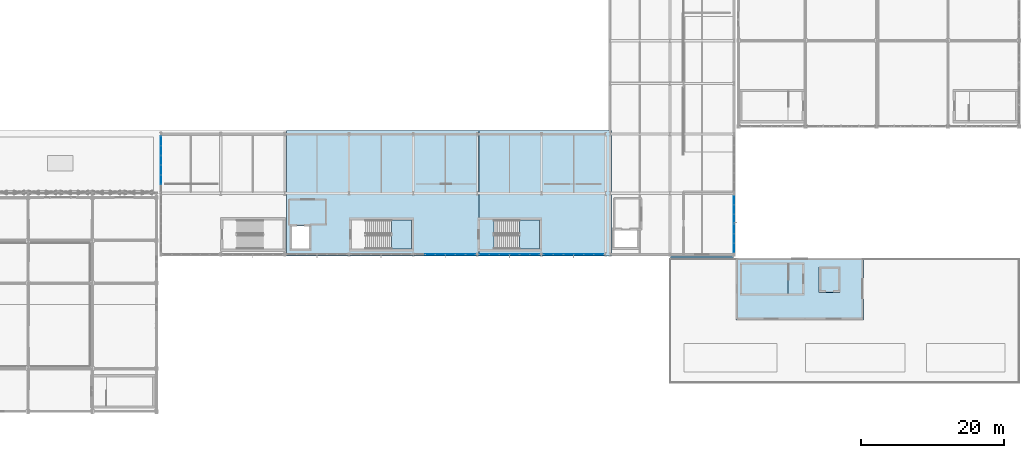
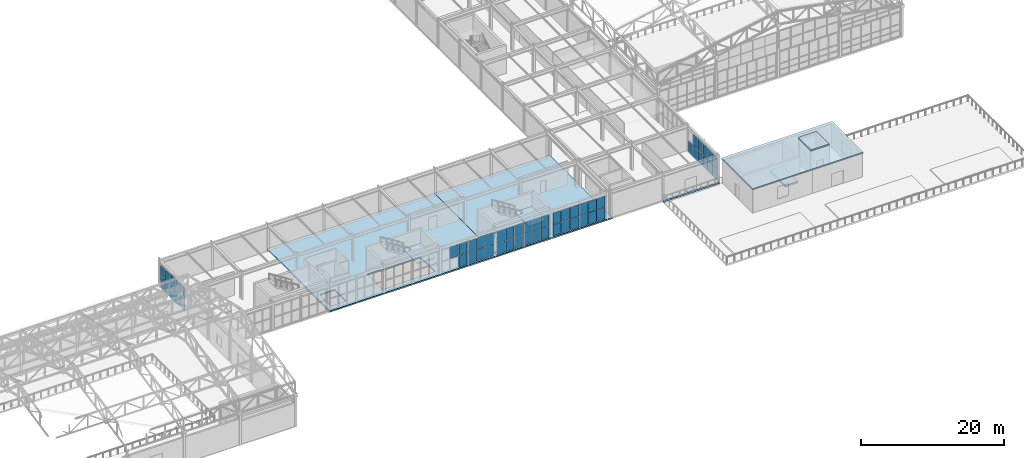
# One storey, part 89 of 112: 54 plates, 9 slabs, 8 elements without a shape of their own.
"""IFC4 building model written with IfcOpenShell, lengths in metres."""

from ifc_helpers import new_model, si_unit, direction, frame, origin, origin_2d, place, context, subcontext, project, spatial, polyline, rectangle, outline, extrude, material, layer, layer_set, type_object, element, aggregate, save


model = new_model("IFC4")

# Units and contexts
model_context = context("Model", 3, precision=1e-05, world=origin(), true_north=direction((0.0, 1.0)))
body_context = subcontext(model_context, "Body", "Model", "MODEL_VIEW")
ifc_project = project(units=[si_unit("LENGTHUNIT", "METRE"), si_unit("AREAUNIT", "SQUARE_METRE"), si_unit("VOLUMEUNIT", "CUBIC_METRE"), si_unit("PLANEANGLEUNIT", "RADIAN"), si_unit("MASSUNIT", "GRAM", prefix="KILO")], contexts=[model_context])

# Site, building, storey
site_placement = place(None, origin())
site = spatial("IfcSite", under=ifc_project, at=site_placement, CompositionType="ELEMENT")
building_placement = place(site_placement, origin())
building = spatial("IfcBuilding", under=site, at=building_placement, Name="Kaldris Quays Convention Centre", CompositionType="ELEMENT")
storey_placement = place(building_placement, frame((0.0, 0.0, 16.800048828125)))
storey = spatial("IfcBuildingStorey", under=building, at=storey_placement, Name="L03", CompositionType="ELEMENT", Elevation=16.800048828125)

# Curtain wall, plates
ifc_material_1 = material(Name="Anodized aluminium AW-6060 and triple glazing", Category="aluminium")
curtain_wall_type = type_object("IfcCurtainWallType", Name="UNITISED CURTAIN WALL CW04", PredefinedType="NOTDEFINED", material=ifc_material_1)
curtain_wall_1_placement = place(storey_placement, origin())
curtain_wall_1 = element("IfcCurtainWall", 1, at=curtain_wall_1_placement, inside=storey, type_object=curtain_wall_type, Name="L03 Unitised Curtain Wall CW04 146", PredefinedType="NOTDEFINED")
ifc_material_2 = material(Name="Triple low-E insulated glazing", Category="glass")
plate_type_1 = type_object("IfcPlateType", Name="CURTAIN GLAZING PANEL CWP2", PredefinedType="CURTAIN_PANEL", material=ifc_material_2)
plate_1_placement = place(storey_placement, frame((164.0, 38.93994140625, 0.059814453125), z_axis=(0.0, 0.0, 1.0), x_axis=(0.0, 1.0, 0.0)))
plate_1 = element("IfcPlate", 2, at=plate_1_placement, type_object=plate_type_1, Name="CW04 panel 1.1", PredefinedType="CURTAIN_PANEL", context=body_context, shape_type="SweptSolid", body=[
    extrude(rectangle(XDim=1.260009765625, YDim=0.033935546875, at=origin_2d()), origin(), (0.0, 0.0, 1.0), 1.89208984375),
])
plate_2_placement = place(storey_placement, frame((164.0, 38.93994140625, 2.011962890625), z_axis=(0.0, 0.0, 1.0), x_axis=(0.0, 1.0, 0.0)))
plate_2 = element("IfcPlate", 3, at=plate_2_placement, type_object=plate_type_1, Name="CW04 panel 1.2", PredefinedType="CURTAIN_PANEL", context=body_context, shape_type="SweptSolid", body=[
    extrude(rectangle(XDim=1.260009765625, YDim=0.033935546875, at=origin_2d()), origin(), (0.0, 0.0, 1.0), 1.89306640625),
])
plate_3_placement = place(storey_placement, frame((164.0, 40.27490234375, 0.059814453125), z_axis=(0.0, 0.0, 1.0), x_axis=(0.0, 1.0, 0.0)))
plate_3 = element("IfcPlate", 4, at=plate_3_placement, type_object=plate_type_1, Name="CW04 panel 2.1", PredefinedType="CURTAIN_PANEL", context=body_context, shape_type="SweptSolid", body=[
    extrude(rectangle(XDim=1.2900390625, YDim=0.033935546875, at=origin_2d()), origin(), (0.0, 0.0, 1.0), 1.89208984375),
])
plate_4_placement = place(storey_placement, frame((164.0, 40.27490234375, 2.011962890625), z_axis=(0.0, 0.0, 1.0), x_axis=(0.0, 1.0, 0.0)))
plate_4 = element("IfcPlate", 5, at=plate_4_placement, type_object=plate_type_1, Name="CW04 panel 2.2", PredefinedType="CURTAIN_PANEL", context=body_context, shape_type="SweptSolid", body=[
    extrude(rectangle(XDim=1.2900390625, YDim=0.033935546875, at=origin_2d()), origin(), (0.0, 0.0, 1.0), 1.89306640625),
])
plate_5_placement = place(storey_placement, frame((164.0, 41.625, 0.059814453125), z_axis=(0.0, 0.0, 1.0), x_axis=(0.0, 1.0, 0.0)))
plate_5 = element("IfcPlate", 6, at=plate_5_placement, type_object=plate_type_1, Name="CW04 panel 3.1", PredefinedType="CURTAIN_PANEL", context=body_context, shape_type="SweptSolid", body=[
    extrude(rectangle(XDim=1.2900390625, YDim=0.033935546875, at=origin_2d()), origin(), (0.0, 0.0, 1.0), 1.89208984375),
])
plate_6_placement = place(storey_placement, frame((164.0, 41.625, 2.011962890625), z_axis=(0.0, 0.0, 1.0), x_axis=(0.0, 1.0, 0.0)))
plate_6 = element("IfcPlate", 7, at=plate_6_placement, type_object=plate_type_1, Name="CW04 panel 3.2", PredefinedType="CURTAIN_PANEL", context=body_context, shape_type="SweptSolid", body=[
    extrude(rectangle(XDim=1.2900390625, YDim=0.033935546875, at=origin_2d()), origin(), (0.0, 0.0, 1.0), 1.89306640625),
])
plate_7_placement = place(storey_placement, frame((164.0, 42.97509765625, 0.059814453125), z_axis=(0.0, 0.0, 1.0), x_axis=(0.0, 1.0, 0.0)))
plate_7 = element("IfcPlate", 8, at=plate_7_placement, type_object=plate_type_1, Name="CW04 panel 4.1", PredefinedType="CURTAIN_PANEL", context=body_context, shape_type="SweptSolid", body=[
    extrude(rectangle(XDim=1.2900390625, YDim=0.033935546875, at=origin_2d()), origin(), (0.0, 0.0, 1.0), 1.89208984375),
])
plate_8_placement = place(storey_placement, frame((164.0, 42.97509765625, 2.011962890625), z_axis=(0.0, 0.0, 1.0), x_axis=(0.0, 1.0, 0.0)))
plate_8 = element("IfcPlate", 9, at=plate_8_placement, type_object=plate_type_1, Name="CW04 panel 4.2", PredefinedType="CURTAIN_PANEL", context=body_context, shape_type="SweptSolid", body=[
    extrude(rectangle(XDim=1.2900390625, YDim=0.033935546875, at=origin_2d()), origin(), (0.0, 0.0, 1.0), 1.89306640625),
])
plate_9_placement = place(storey_placement, frame((164.0, 44.324951171875, 0.059814453125), z_axis=(0.0, 0.0, 1.0), x_axis=(0.0, 1.0, 0.0)))
plate_9 = element("IfcPlate", 10, at=plate_9_placement, type_object=plate_type_1, Name="CW04 panel 5.1", PredefinedType="CURTAIN_PANEL", context=body_context, shape_type="SweptSolid", body=[
    extrude(rectangle(XDim=1.2900390625, YDim=0.033935546875, at=origin_2d()), origin(), (0.0, 0.0, 1.0), 1.89208984375),
])
plate_10_placement = place(storey_placement, frame((164.0, 44.324951171875, 2.011962890625), z_axis=(0.0, 0.0, 1.0), x_axis=(0.0, 1.0, 0.0)))
plate_10 = element("IfcPlate", 11, at=plate_10_placement, type_object=plate_type_1, Name="CW04 panel 5.2", PredefinedType="CURTAIN_PANEL", context=body_context, shape_type="SweptSolid", body=[
    extrude(rectangle(XDim=1.2900390625, YDim=0.033935546875, at=origin_2d()), origin(), (0.0, 0.0, 1.0), 1.89306640625),
])
plate_11_placement = place(storey_placement, frame((164.0, 45.659912109375, 0.059814453125), z_axis=(0.0, 0.0, 1.0), x_axis=(0.0, 1.0, 0.0)))
plate_11 = element("IfcPlate", 12, at=plate_11_placement, type_object=plate_type_1, Name="CW04 panel 6.1", PredefinedType="CURTAIN_PANEL", context=body_context, shape_type="SweptSolid", body=[
    extrude(rectangle(XDim=1.260009765625, YDim=0.033935546875, at=origin_2d()), origin(), (0.0, 0.0, 1.0), 1.89208984375),
])
aggregate(curtain_wall_1, [plate_1, plate_2, plate_3, plate_4, plate_5, plate_6, plate_7, plate_8, plate_9, plate_10, plate_11])

curtain_wall_2_placement = place(storey_placement, origin())
curtain_wall_2 = element("IfcCurtainWall", 13, at=curtain_wall_2_placement, inside=storey, type_object=curtain_wall_type, Name="L03 Unitised Curtain Wall CW04 125", PredefinedType="NOTDEFINED")
plate_type_2 = type_object("IfcPlateType", Name="CURTAIN GLAZING PANEL CWP5", PredefinedType="CURTAIN_PANEL", material=ifc_material_2)
plate_12_placement = place(storey_placement, frame((121.375, 38.0, 2.011962890625), z_axis=(0.0, 0.0, 1.0), x_axis=(1.0, 0.0, 0.0)))
plate_12 = element("IfcPlate", 14, at=plate_12_placement, type_object=plate_type_2, Name="CW04 panel 2.2", PredefinedType="CURTAIN_PANEL", context=body_context, shape_type="SweptSolid", body=[
    extrude(rectangle(XDim=1.356689453125, YDim=0.049072265625, at=origin_2d()), origin(), (0.0, 0.0, 1.0), 1.89306640625),
])
plate_13_placement = place(storey_placement, frame((122.791748046875, 38.0, 0.059814453125), z_axis=(0.0, 0.0, 1.0), x_axis=(1.0, 0.0, 0.0)))
plate_13 = element("IfcPlate", 15, at=plate_13_placement, type_object=plate_type_2, Name="CW04 panel 3.1", PredefinedType="CURTAIN_PANEL", context=body_context, shape_type="SweptSolid", body=[
    extrude(rectangle(XDim=1.356689453125, YDim=0.049072265625, at=origin_2d()), origin(), (0.0, 0.0, 1.0), 1.89208984375),
])
plate_14_placement = place(storey_placement, frame((122.791748046875, 38.0, 2.011962890625), z_axis=(0.0, 0.0, 1.0), x_axis=(1.0, 0.0, 0.0)))
plate_14 = element("IfcPlate", 16, at=plate_14_placement, type_object=plate_type_2, Name="CW04 panel 3.2", PredefinedType="CURTAIN_PANEL", context=body_context, shape_type="SweptSolid", body=[
    extrude(rectangle(XDim=1.356689453125, YDim=0.049072265625, at=origin_2d()), origin(), (0.0, 0.0, 1.0), 1.89306640625),
])
plate_15_placement = place(storey_placement, frame((124.208251953125, 38.0, 0.059814453125), z_axis=(0.0, 0.0, 1.0), x_axis=(1.0, 0.0, 0.0)))
plate_15 = element("IfcPlate", 17, at=plate_15_placement, type_object=plate_type_2, Name="CW04 panel 4.1", PredefinedType="CURTAIN_PANEL", context=body_context, shape_type="SweptSolid", body=[
    extrude(rectangle(XDim=1.356689453125, YDim=0.049072265625, at=origin_2d()), origin(), (0.0, 0.0, 1.0), 1.89208984375),
])
plate_16_placement = place(storey_placement, frame((124.208251953125, 38.0, 2.011962890625), z_axis=(0.0, 0.0, 1.0), x_axis=(1.0, 0.0, 0.0)))
plate_16 = element("IfcPlate", 18, at=plate_16_placement, type_object=plate_type_2, Name="CW04 panel 4.2", PredefinedType="CURTAIN_PANEL", context=body_context, shape_type="SweptSolid", body=[
    extrude(rectangle(XDim=1.356689453125, YDim=0.049072265625, at=origin_2d()), origin(), (0.0, 0.0, 1.0), 1.89306640625),
])
plate_17_placement = place(storey_placement, frame((125.625, 38.0, 0.059814453125), z_axis=(0.0, 0.0, 1.0), x_axis=(1.0, 0.0, 0.0)))
plate_17 = element("IfcPlate", 19, at=plate_17_placement, type_object=plate_type_2, Name="CW04 panel 5.1", PredefinedType="CURTAIN_PANEL", context=body_context, shape_type="SweptSolid", body=[
    extrude(rectangle(XDim=1.356689453125, YDim=0.049072265625, at=origin_2d()), origin(), (0.0, 0.0, 1.0), 1.89208984375),
])
plate_18_placement = place(storey_placement, frame((125.625, 38.0, 2.011962890625), z_axis=(0.0, 0.0, 1.0), x_axis=(1.0, 0.0, 0.0)))
plate_18 = element("IfcPlate", 20, at=plate_18_placement, type_object=plate_type_2, Name="CW04 panel 5.2", PredefinedType="CURTAIN_PANEL", context=body_context, shape_type="SweptSolid", body=[
    extrude(rectangle(XDim=1.356689453125, YDim=0.049072265625, at=origin_2d()), origin(), (0.0, 0.0, 1.0), 1.89306640625),
])
plate_19_placement = place(storey_placement, frame((127.026611328125, 38.0, 0.059814453125), z_axis=(0.0, 0.0, 1.0), x_axis=(1.0, 0.0, 0.0)))
plate_19 = element("IfcPlate", 21, at=plate_19_placement, type_object=plate_type_2, Name="CW04 panel 6.1", PredefinedType="CURTAIN_PANEL", context=body_context, shape_type="SweptSolid", body=[
    extrude(rectangle(XDim=1.32666015625, YDim=0.049072265625, at=origin_2d()), origin(), (0.0, 0.0, 1.0), 1.89208984375),
])
plate_20_placement = place(storey_placement, frame((127.026611328125, 38.0, 2.011962890625), z_axis=(0.0, 0.0, 1.0), x_axis=(1.0, 0.0, 0.0)))
plate_20 = element("IfcPlate", 22, at=plate_20_placement, type_object=plate_type_2, Name="CW04 panel 6.2", PredefinedType="CURTAIN_PANEL", context=body_context, shape_type="SweptSolid", body=[
    extrude(rectangle(XDim=1.32666015625, YDim=0.049072265625, at=origin_2d()), origin(), (0.0, 0.0, 1.0), 1.89306640625),
])
aggregate(curtain_wall_2, [plate_12, plate_13, plate_14, plate_15, plate_16, plate_17, plate_18, plate_19, plate_20])

curtain_wall_3_placement = place(storey_placement, origin())
curtain_wall_3 = element("IfcCurtainWall", 23, at=curtain_wall_3_placement, inside=storey, type_object=curtain_wall_type, Name="L03 Unitised Curtain Wall CW04 126", PredefinedType="NOTDEFINED")
plate_type_3 = type_object("IfcPlateType", Name="CURTAIN GLAZING PANEL CWP6", PredefinedType="CURTAIN_PANEL", material=ifc_material_2)
plate_21_placement = place(storey_placement, frame((128.973388671875, 38.0, 0.059814453125), z_axis=(0.0, 0.0, 1.0), x_axis=(1.0, 0.0, 0.0)))
plate_21 = element("IfcPlate", 24, at=plate_21_placement, type_object=plate_type_3, Name="CW04 panel 1.1", PredefinedType="CURTAIN_PANEL", context=body_context, shape_type="SweptSolid", body=[
    extrude(rectangle(XDim=1.32666015625, YDim=0.053955078125, at=origin_2d()), origin(), (0.0, 0.0, 1.0), 1.89208984375),
])
plate_22_placement = place(storey_placement, frame((128.973388671875, 38.0, 2.011962890625), z_axis=(0.0, 0.0, 1.0), x_axis=(1.0, 0.0, 0.0)))
plate_22 = element("IfcPlate", 25, at=plate_22_placement, type_object=plate_type_3, Name="CW04 panel 1.2", PredefinedType="CURTAIN_PANEL", context=body_context, shape_type="SweptSolid", body=[
    extrude(rectangle(XDim=1.32666015625, YDim=0.053955078125, at=origin_2d()), origin(), (0.0, 0.0, 1.0), 1.89306640625),
])
plate_23_placement = place(storey_placement, frame((130.375, 38.0, 0.059814453125), z_axis=(0.0, 0.0, 1.0), x_axis=(1.0, 0.0, 0.0)))
plate_23 = element("IfcPlate", 26, at=plate_23_placement, type_object=plate_type_3, Name="CW04 panel 2.1", PredefinedType="CURTAIN_PANEL", context=body_context, shape_type="SweptSolid", body=[
    extrude(rectangle(XDim=1.356689453125, YDim=0.053955078125, at=origin_2d()), origin(), (0.0, 0.0, 1.0), 1.89208984375),
])
plate_24_placement = place(storey_placement, frame((130.375, 38.0, 2.011962890625), z_axis=(0.0, 0.0, 1.0), x_axis=(1.0, 0.0, 0.0)))
plate_24 = element("IfcPlate", 27, at=plate_24_placement, type_object=plate_type_3, Name="CW04 panel 2.2", PredefinedType="CURTAIN_PANEL", context=body_context, shape_type="SweptSolid", body=[
    extrude(rectangle(XDim=1.356689453125, YDim=0.053955078125, at=origin_2d()), origin(), (0.0, 0.0, 1.0), 1.89306640625),
])
plate_25_placement = place(storey_placement, frame((131.791748046875, 38.0, 0.059814453125), z_axis=(0.0, 0.0, 1.0), x_axis=(1.0, 0.0, 0.0)))
plate_25 = element("IfcPlate", 28, at=plate_25_placement, type_object=plate_type_3, Name="CW04 panel 3.1", PredefinedType="CURTAIN_PANEL", context=body_context, shape_type="SweptSolid", body=[
    extrude(rectangle(XDim=1.356689453125, YDim=0.053955078125, at=origin_2d()), origin(), (0.0, 0.0, 1.0), 1.89208984375),
])
plate_26_placement = place(storey_placement, frame((131.791748046875, 38.0, 2.011962890625), z_axis=(0.0, 0.0, 1.0), x_axis=(1.0, 0.0, 0.0)))
plate_26 = element("IfcPlate", 29, at=plate_26_placement, type_object=plate_type_3, Name="CW04 panel 3.2", PredefinedType="CURTAIN_PANEL", context=body_context, shape_type="SweptSolid", body=[
    extrude(rectangle(XDim=1.356689453125, YDim=0.053955078125, at=origin_2d()), origin(), (0.0, 0.0, 1.0), 1.89306640625),
])
plate_27_placement = place(storey_placement, frame((133.208251953125, 38.0, 0.059814453125), z_axis=(0.0, 0.0, 1.0), x_axis=(1.0, 0.0, 0.0)))
plate_27 = element("IfcPlate", 30, at=plate_27_placement, type_object=plate_type_3, Name="CW04 panel 4.1", PredefinedType="CURTAIN_PANEL", context=body_context, shape_type="SweptSolid", body=[
    extrude(rectangle(XDim=1.356689453125, YDim=0.053955078125, at=origin_2d()), origin(), (0.0, 0.0, 1.0), 1.89208984375),
])
plate_28_placement = place(storey_placement, frame((133.208251953125, 38.0, 2.011962890625), z_axis=(0.0, 0.0, 1.0), x_axis=(1.0, 0.0, 0.0)))
plate_28 = element("IfcPlate", 31, at=plate_28_placement, type_object=plate_type_3, Name="CW04 panel 4.2", PredefinedType="CURTAIN_PANEL", context=body_context, shape_type="SweptSolid", body=[
    extrude(rectangle(XDim=1.356689453125, YDim=0.053955078125, at=origin_2d()), origin(), (0.0, 0.0, 1.0), 1.89306640625),
])
plate_29_placement = place(storey_placement, frame((134.625, 38.0, 0.059814453125), z_axis=(0.0, 0.0, 1.0), x_axis=(1.0, 0.0, 0.0)))
plate_29 = element("IfcPlate", 32, at=plate_29_placement, type_object=plate_type_3, Name="CW04 panel 5.1", PredefinedType="CURTAIN_PANEL", context=body_context, shape_type="SweptSolid", body=[
    extrude(rectangle(XDim=1.356689453125, YDim=0.053955078125, at=origin_2d()), origin(), (0.0, 0.0, 1.0), 1.89208984375),
])
plate_30_placement = place(storey_placement, frame((134.625, 38.0, 2.011962890625), z_axis=(0.0, 0.0, 1.0), x_axis=(1.0, 0.0, 0.0)))
plate_30 = element("IfcPlate", 33, at=plate_30_placement, type_object=plate_type_3, Name="CW04 panel 5.2", PredefinedType="CURTAIN_PANEL", context=body_context, shape_type="SweptSolid", body=[
    extrude(rectangle(XDim=1.356689453125, YDim=0.053955078125, at=origin_2d()), origin(), (0.0, 0.0, 1.0), 1.89306640625),
])
plate_31_placement = place(storey_placement, frame((136.026611328125, 38.0, 0.059814453125), z_axis=(0.0, 0.0, 1.0), x_axis=(1.0, 0.0, 0.0)))
plate_31 = element("IfcPlate", 34, at=plate_31_placement, type_object=plate_type_3, Name="CW04 panel 6.1", PredefinedType="CURTAIN_PANEL", context=body_context, shape_type="SweptSolid", body=[
    extrude(rectangle(XDim=1.32666015625, YDim=0.053955078125, at=origin_2d()), origin(), (0.0, 0.0, 1.0), 1.89208984375),
])
plate_32_placement = place(storey_placement, frame((136.026611328125, 38.0, 2.011962890625), z_axis=(0.0, 0.0, 1.0), x_axis=(1.0, 0.0, 0.0)))
plate_32 = element("IfcPlate", 35, at=plate_32_placement, type_object=plate_type_3, Name="CW04 panel 6.2", PredefinedType="CURTAIN_PANEL", context=body_context, shape_type="SweptSolid", body=[
    extrude(rectangle(XDim=1.32666015625, YDim=0.053955078125, at=origin_2d()), origin(), (0.0, 0.0, 1.0), 1.89306640625),
])
aggregate(curtain_wall_3, [plate_21, plate_22, plate_23, plate_24, plate_25, plate_26, plate_27, plate_28, plate_29, plate_30, plate_31, plate_32])

curtain_wall_4_placement = place(storey_placement, origin())
curtain_wall_4 = element("IfcCurtainWall", 36, at=curtain_wall_4_placement, inside=storey, type_object=curtain_wall_type, Name="L03 Unitised Curtain Wall CW04 127", PredefinedType="NOTDEFINED")
plate_type_4 = type_object("IfcPlateType", Name="CURTAIN GLAZING PANEL CWP7", PredefinedType="CURTAIN_PANEL", material=ifc_material_2)
plate_33_placement = place(storey_placement, frame((137.973388671875, 38.0, 0.059814453125), z_axis=(0.0, 0.0, 1.0), x_axis=(1.0, 0.0, 0.0)))
plate_33 = element("IfcPlate", 37, at=plate_33_placement, type_object=plate_type_4, Name="CW04 panel 1.1", PredefinedType="CURTAIN_PANEL", context=body_context, shape_type="SweptSolid", body=[
    extrude(rectangle(XDim=1.32666015625, YDim=0.05908203125, at=origin_2d()), origin(), (0.0, 0.0, 1.0), 1.89208984375),
])
plate_34_placement = place(storey_placement, frame((137.973388671875, 38.0, 2.011962890625), z_axis=(0.0, 0.0, 1.0), x_axis=(1.0, 0.0, 0.0)))
plate_34 = element("IfcPlate", 38, at=plate_34_placement, type_object=plate_type_4, Name="CW04 panel 1.2", PredefinedType="CURTAIN_PANEL", context=body_context, shape_type="SweptSolid", body=[
    extrude(rectangle(XDim=1.32666015625, YDim=0.05908203125, at=origin_2d()), origin(), (0.0, 0.0, 1.0), 1.89306640625),
])
plate_35_placement = place(storey_placement, frame((139.375, 38.0, 0.059814453125), z_axis=(0.0, 0.0, 1.0), x_axis=(1.0, 0.0, 0.0)))
plate_35 = element("IfcPlate", 39, at=plate_35_placement, type_object=plate_type_4, Name="CW04 panel 2.1", PredefinedType="CURTAIN_PANEL", context=body_context, shape_type="SweptSolid", body=[
    extrude(rectangle(XDim=1.356689453125, YDim=0.05908203125, at=origin_2d()), origin(), (0.0, 0.0, 1.0), 1.89208984375),
])
plate_36_placement = place(storey_placement, frame((139.375, 38.0, 2.011962890625), z_axis=(0.0, 0.0, 1.0), x_axis=(1.0, 0.0, 0.0)))
plate_36 = element("IfcPlate", 40, at=plate_36_placement, type_object=plate_type_4, Name="CW04 panel 2.2", PredefinedType="CURTAIN_PANEL", context=body_context, shape_type="SweptSolid", body=[
    extrude(rectangle(XDim=1.356689453125, YDim=0.05908203125, at=origin_2d()), origin(), (0.0, 0.0, 1.0), 1.89306640625),
])
plate_37_placement = place(storey_placement, frame((140.791748046875, 38.0, 0.059814453125), z_axis=(0.0, 0.0, 1.0), x_axis=(1.0, 0.0, 0.0)))
plate_37 = element("IfcPlate", 41, at=plate_37_placement, type_object=plate_type_4, Name="CW04 panel 3.1", PredefinedType="CURTAIN_PANEL", context=body_context, shape_type="SweptSolid", body=[
    extrude(rectangle(XDim=1.356689453125, YDim=0.05908203125, at=origin_2d()), origin(), (0.0, 0.0, 1.0), 1.89208984375),
])
plate_38_placement = place(storey_placement, frame((140.791748046875, 38.0, 2.011962890625), z_axis=(0.0, 0.0, 1.0), x_axis=(1.0, 0.0, 0.0)))
plate_38 = element("IfcPlate", 42, at=plate_38_placement, type_object=plate_type_4, Name="CW04 panel 3.2", PredefinedType="CURTAIN_PANEL", context=body_context, shape_type="SweptSolid", body=[
    extrude(rectangle(XDim=1.356689453125, YDim=0.05908203125, at=origin_2d()), origin(), (0.0, 0.0, 1.0), 1.89306640625),
])
plate_39_placement = place(storey_placement, frame((142.208251953125, 38.0, 0.059814453125), z_axis=(0.0, 0.0, 1.0), x_axis=(1.0, 0.0, 0.0)))
plate_39 = element("IfcPlate", 43, at=plate_39_placement, type_object=plate_type_4, Name="CW04 panel 4.1", PredefinedType="CURTAIN_PANEL", context=body_context, shape_type="SweptSolid", body=[
    extrude(rectangle(XDim=1.356689453125, YDim=0.05908203125, at=origin_2d()), origin(), (0.0, 0.0, 1.0), 1.89208984375),
])
plate_40_placement = place(storey_placement, frame((142.208251953125, 38.0, 2.011962890625), z_axis=(0.0, 0.0, 1.0), x_axis=(1.0, 0.0, 0.0)))
plate_40 = element("IfcPlate", 44, at=plate_40_placement, type_object=plate_type_4, Name="CW04 panel 4.2", PredefinedType="CURTAIN_PANEL", context=body_context, shape_type="SweptSolid", body=[
    extrude(rectangle(XDim=1.356689453125, YDim=0.05908203125, at=origin_2d()), origin(), (0.0, 0.0, 1.0), 1.89306640625),
])
plate_41_placement = place(storey_placement, frame((143.625, 38.0, 0.059814453125), z_axis=(0.0, 0.0, 1.0), x_axis=(1.0, 0.0, 0.0)))
plate_41 = element("IfcPlate", 45, at=plate_41_placement, type_object=plate_type_4, Name="CW04 panel 5.1", PredefinedType="CURTAIN_PANEL", context=body_context, shape_type="SweptSolid", body=[
    extrude(rectangle(XDim=1.356689453125, YDim=0.05908203125, at=origin_2d()), origin(), (0.0, 0.0, 1.0), 1.89208984375),
])
plate_42_placement = place(storey_placement, frame((143.625, 38.0, 2.011962890625), z_axis=(0.0, 0.0, 1.0), x_axis=(1.0, 0.0, 0.0)))
plate_42 = element("IfcPlate", 46, at=plate_42_placement, type_object=plate_type_4, Name="CW04 panel 5.2", PredefinedType="CURTAIN_PANEL", context=body_context, shape_type="SweptSolid", body=[
    extrude(rectangle(XDim=1.356689453125, YDim=0.05908203125, at=origin_2d()), origin(), (0.0, 0.0, 1.0), 1.89306640625),
])
plate_43_placement = place(storey_placement, frame((145.026611328125, 38.0, 0.059814453125), z_axis=(0.0, 0.0, 1.0), x_axis=(1.0, 0.0, 0.0)))
plate_43 = element("IfcPlate", 47, at=plate_43_placement, type_object=plate_type_4, Name="CW04 panel 6.1", PredefinedType="CURTAIN_PANEL", context=body_context, shape_type="SweptSolid", body=[
    extrude(rectangle(XDim=1.32666015625, YDim=0.05908203125, at=origin_2d()), origin(), (0.0, 0.0, 1.0), 1.89208984375),
])
plate_44_placement = place(storey_placement, frame((145.026611328125, 38.0, 2.011962890625), z_axis=(0.0, 0.0, 1.0), x_axis=(1.0, 0.0, 0.0)))
plate_44 = element("IfcPlate", 48, at=plate_44_placement, type_object=plate_type_4, Name="CW04 panel 6.2", PredefinedType="CURTAIN_PANEL", context=body_context, shape_type="SweptSolid", body=[
    extrude(rectangle(XDim=1.32666015625, YDim=0.05908203125, at=origin_2d()), origin(), (0.0, 0.0, 1.0), 1.89306640625),
])
aggregate(curtain_wall_4, [plate_33, plate_34, plate_35, plate_36, plate_37, plate_38, plate_39, plate_40, plate_41, plate_42, plate_43, plate_44])

curtain_wall_5_placement = place(storey_placement, origin())
curtain_wall_5 = element("IfcCurtainWall", 49, at=curtain_wall_5_placement, inside=storey, type_object=curtain_wall_type, Name="L03 Unitised Curtain Wall CW04 128", PredefinedType="NOTDEFINED")
plate_type_5 = type_object("IfcPlateType", Name="CURTAIN GLAZING PANEL CWP8", PredefinedType="CURTAIN_PANEL", material=ifc_material_2)
plate_45_placement = place(storey_placement, frame((83.60009765625, 48.5, 0.059814453125), z_axis=(0.0, 0.0, 1.0), x_axis=(0.0, 1.0, 0.0)))
plate_45 = element("IfcPlate", 50, at=plate_45_placement, type_object=plate_type_5, Name="CW04 panel 8.1", PredefinedType="CURTAIN_PANEL", context=body_context, shape_type="SweptSolid", body=[
    extrude(rectangle(XDim=1.306640625, YDim=0.06396484375, at=origin_2d()), origin(), (0.0, 0.0, 1.0), 1.89208984375),
])
plate_46_placement = place(storey_placement, frame((83.60009765625, 48.5, 2.011962890625), z_axis=(0.0, 0.0, 1.0), x_axis=(0.0, 1.0, 0.0)))
plate_46 = element("IfcPlate", 51, at=plate_46_placement, type_object=plate_type_5, Name="CW04 panel 8.2", PredefinedType="CURTAIN_PANEL", context=body_context, shape_type="SweptSolid", body=[
    extrude(rectangle(XDim=1.306640625, YDim=0.06396484375, at=origin_2d()), origin(), (0.0, 0.0, 1.0), 1.89306640625),
])
plate_47_placement = place(storey_placement, frame((83.60009765625, 49.86669921875, 0.059814453125), z_axis=(0.0, 0.0, 1.0), x_axis=(0.0, 1.0, 0.0)))
plate_47 = element("IfcPlate", 52, at=plate_47_placement, type_object=plate_type_5, Name="CW04 panel 9.1", PredefinedType="CURTAIN_PANEL", context=body_context, shape_type="SweptSolid", body=[
    extrude(rectangle(XDim=1.306640625, YDim=0.06396484375, at=origin_2d()), origin(), (0.0, 0.0, 1.0), 1.89208984375),
])
plate_48_placement = place(storey_placement, frame((83.60009765625, 49.86669921875, 2.011962890625), z_axis=(0.0, 0.0, 1.0), x_axis=(0.0, 1.0, 0.0)))
plate_48 = element("IfcPlate", 53, at=plate_48_placement, type_object=plate_type_5, Name="CW04 panel 9.2", PredefinedType="CURTAIN_PANEL", context=body_context, shape_type="SweptSolid", body=[
    extrude(rectangle(XDim=1.306640625, YDim=0.06396484375, at=origin_2d()), origin(), (0.0, 0.0, 1.0), 1.89306640625),
])
plate_49_placement = place(storey_placement, frame((83.60009765625, 51.2333984375, 0.059814453125), z_axis=(0.0, 0.0, 1.0), x_axis=(0.0, 1.0, 0.0)))
plate_49 = element("IfcPlate", 54, at=plate_49_placement, type_object=plate_type_5, Name="CW04 panel 10.1", PredefinedType="CURTAIN_PANEL", context=body_context, shape_type="SweptSolid", body=[
    extrude(rectangle(XDim=1.306640625, YDim=0.06396484375, at=origin_2d()), origin(), (0.0, 0.0, 1.0), 1.89208984375),
])
plate_50_placement = place(storey_placement, frame((83.60009765625, 51.2333984375, 2.011962890625), z_axis=(0.0, 0.0, 1.0), x_axis=(0.0, 1.0, 0.0)))
plate_50 = element("IfcPlate", 55, at=plate_50_placement, type_object=plate_type_5, Name="CW04 panel 10.2", PredefinedType="CURTAIN_PANEL", context=body_context, shape_type="SweptSolid", body=[
    extrude(rectangle(XDim=1.306640625, YDim=0.06396484375, at=origin_2d()), origin(), (0.0, 0.0, 1.0), 1.89306640625),
])
plate_51_placement = place(storey_placement, frame((83.60009765625, 52.60009765625, 0.059814453125), z_axis=(0.0, 0.0, 1.0), x_axis=(0.0, 1.0, 0.0)))
plate_51 = element("IfcPlate", 56, at=plate_51_placement, type_object=plate_type_5, Name="CW04 panel 11.1", PredefinedType="CURTAIN_PANEL", context=body_context, shape_type="SweptSolid", body=[
    extrude(rectangle(XDim=1.306640625, YDim=0.06396484375, at=origin_2d()), origin(), (0.0, 0.0, 1.0), 1.89208984375),
])
plate_52_placement = place(storey_placement, frame((83.60009765625, 52.60009765625, 2.011962890625), z_axis=(0.0, 0.0, 1.0), x_axis=(0.0, 1.0, 0.0)))
plate_52 = element("IfcPlate", 57, at=plate_52_placement, type_object=plate_type_5, Name="CW04 panel 11.2", PredefinedType="CURTAIN_PANEL", context=body_context, shape_type="SweptSolid", body=[
    extrude(rectangle(XDim=1.306640625, YDim=0.06396484375, at=origin_2d()), origin(), (0.0, 0.0, 1.0), 1.89306640625),
])
plate_53_placement = place(storey_placement, frame((83.60009765625, 53.95166015625, 0.059814453125), z_axis=(0.0, 0.0, 1.0), x_axis=(0.0, 1.0, 0.0)))
plate_53 = element("IfcPlate", 58, at=plate_53_placement, type_object=plate_type_5, Name="CW04 panel 12.1", PredefinedType="CURTAIN_PANEL", context=body_context, shape_type="SweptSolid", body=[
    extrude(rectangle(XDim=1.276611328125, YDim=0.06396484375, at=origin_2d()), origin(), (0.0, 0.0, 1.0), 1.89208984375),
])
plate_54_placement = place(storey_placement, frame((83.60009765625, 53.95166015625, 2.011962890625), z_axis=(0.0, 0.0, 1.0), x_axis=(0.0, 1.0, 0.0)))
plate_54 = element("IfcPlate", 59, at=plate_54_placement, type_object=plate_type_5, Name="CW04 panel 12.2", PredefinedType="CURTAIN_PANEL", context=body_context, shape_type="SweptSolid", body=[
    extrude(rectangle(XDim=1.276611328125, YDim=0.06396484375, at=origin_2d()), origin(), (0.0, 0.0, 1.0), 1.89306640625),
])
aggregate(curtain_wall_5, [plate_45, plate_46, plate_47, plate_48, plate_49, plate_50, plate_51, plate_52, plate_53, plate_54])

# Stair, slab
ifc_material_3 = material(Name="Concrete C35/45", Category="concrete")
stair_type = type_object("IfcStairType", Name="DOGLEG ESCAPE STAIR STF3", PredefinedType="TWO_STRAIGHT_RUN_STAIR", material=ifc_material_3)
stair_1_placement = place(storey_placement, origin())
stair_1 = element("IfcStair", 60, at=stair_1_placement, inside=storey, type_object=stair_type, Name="L03 Escape Stair ST12", PredefinedType="TWO_STRAIGHT_RUN_STAIR")
ifc_layer_1 = layer(ifc_material_3, 0.22802734375)
ifc_layer_set_1 = layer_set([ifc_layer_1], Name="Concrete C35/45")
slab_type_1 = type_object("IfcSlabType", Name="STAIR LANDING SLAB LS02", PredefinedType="LANDING", material=ifc_layer_set_1)
slab_1_placement = place(storey_placement, frame((0.0, 0.0, 2.171875)))
slab_1 = element("IfcSlab", 61, at=slab_1_placement, type_object=slab_type_1, Name="STF3 landing 1", PredefinedType="LANDING", context=body_context, shape_type="SweptSolid", body=[
    extrude(outline(polyline([(133.93994140625, 38.800048828125), (136.75, 38.800048828125), (136.75, 42.85009765625), (133.93994140625, 42.85009765625), (133.93994140625, 38.800048828125)])), origin(), (0.0, 0.0, 1.0), 0.22802734375),
])
aggregate(stair_1, [slab_1])

stair_2_placement = place(storey_placement, origin())
stair_2 = element("IfcStair", 62, at=stair_2_placement, inside=storey, type_object=stair_type, Name="L03 Escape Stair ST13", PredefinedType="TWO_STRAIGHT_RUN_STAIR")
slab_2_placement = place(storey_placement, frame((0.0, 0.0, 2.171875)))
slab_2 = element("IfcSlab", 63, at=slab_2_placement, type_object=slab_type_1, Name="STF3 landing 1", PredefinedType="LANDING", context=body_context, shape_type="SweptSolid", body=[
    extrude(outline(polyline([(115.93994140625, 38.800048828125), (118.75, 38.800048828125), (118.75, 42.85009765625), (115.93994140625, 42.85009765625), (115.93994140625, 38.800048828125)])), origin(), (0.0, 0.0, 1.0), 0.22802734375),
])
aggregate(stair_2, [slab_2])

# Slabs
ifc_layer_2 = layer(ifc_material_3, 0.27490234375)
ifc_layer_set_2 = layer_set([ifc_layer_2], Name="Concrete C35/45")
slab_type_2 = type_object("IfcSlabType", Name="STRUCTURAL SLAB FS05", PredefinedType="FLOOR", material=ifc_layer_set_2)
slab_3_placement = place(storey_placement, frame((0.0, 0.0, -0.275146484375)))
element("IfcSlab", 64, at=slab_3_placement, inside=storey, type_object=slab_type_2, Name="L03 ST12 Core Floor Landing Slab", PredefinedType="FLOOR", context=body_context, shape_type="SweptSolid", body=[
    extrude(outline(polyline([(128.22998046875, 38.679931640625), (130.300048828125, 38.679931640625), (130.300048828125, 42.969970703125), (128.22998046875, 42.969970703125), (128.22998046875, 38.679931640625)])), origin(), (0.0, 0.0, 1.0), 0.275146484375),
])
slab_4_placement = place(storey_placement, frame((0.0, 0.0, -0.275146484375)))
element("IfcSlab", 65, at=slab_4_placement, inside=storey, type_object=slab_type_2, Name="L03 ST15 Core Floor Landing Slab", PredefinedType="FLOOR", context=body_context, shape_type="SweptSolid", body=[
    extrude(outline(polyline([(173.669921875, 36.719970703125), (171.60009765625, 36.719970703125), (171.60009765625, 32.429931640625), (173.669921875, 32.429931640625), (173.669921875, 36.719970703125)])), origin(), (0.0, 0.0, 1.0), 0.275146484375),
])
ifc_layer_3 = layer(ifc_material_3, 0.235107421875)
ifc_layer_set_3 = layer_set([ifc_layer_3], Name="Concrete C35/45")
slab_type_3 = type_object("IfcSlabType", Name="STRUCTURAL SLAB FS07", PredefinedType="FLOOR", material=ifc_layer_set_3)
slab_5_placement = place(storey_placement, frame((0.0, 0.0, -0.235107421875)))
element("IfcSlab", 66, at=slab_5_placement, inside=storey, type_object=slab_type_3, Name="L03 V4 L03 South 2 SLAB-L03-V4S-2", PredefinedType="FLOOR", context=body_context, shape_type="SweptSolid", body=[
    extrude(outline(polyline([(128.199951171875, 55.375), (128.199951171875, 37.800048828125), (101.201904296875, 37.800048828125), (101.201904296875, 55.375), (128.199951171875, 55.375)]), holes=[polyline([(104.39990234375, 38.800048828125), (104.39990234375, 42.0), (102.0, 42.0), (102.0, 38.800048828125), (104.39990234375, 38.800048828125)]), polyline([(110.22802734375, 42.970703125), (110.22900390625, 38.67822265625), (112.30029296875, 38.677978515625), (112.302001953125, 38.800048828125), (118.75, 38.800048828125), (118.75, 42.85009765625), (112.302001953125, 42.85009765625), (112.30029296875, 42.971923828125), (110.22802734375, 42.970703125)])]), origin(), (0.0, 0.0, 1.0), 0.235107421875),
])
slab_6_placement = place(storey_placement, frame((0.0, 0.0, -0.235107421875)))
element("IfcSlab", 67, at=slab_6_placement, inside=storey, type_object=slab_type_3, Name="L03 V4 L03 South 3 SLAB-L03-V4S-3", PredefinedType="FLOOR", context=body_context, shape_type="SweptSolid", body=[
    extrude(outline(polyline([(146.800048828125, 55.375), (146.800048828125, 37.800048828125), (128.201904296875, 37.800048828125), (128.201904296875, 55.375), (146.800048828125, 55.375)]), holes=[polyline([(130.300537109375, 42.971923828125), (128.228271484375, 42.970947265625), (128.22900390625, 38.67822265625), (130.30029296875, 38.677978515625), (130.302001953125, 38.800048828125), (136.75, 38.800048828125), (136.75, 42.85009765625), (130.302001953125, 42.85009765625), (130.300537109375, 42.971923828125)])]), origin(), (0.0, 0.0, 1.0), 0.235107421875),
])
ifc_layer_4 = layer(ifc_material_3, 0.205078125)
ifc_layer_set_4 = layer_set([ifc_layer_4], Name="Concrete C35/45")
slab_type_4 = type_object("IfcSlabType", Name="STRUCTURAL SLAB RS01", PredefinedType="ROOF", material=ifc_layer_set_4)
slab_7_placement = place(storey_placement, frame((0.0, 0.0, 4.199951171875)))
element("IfcSlab", 68, at=slab_7_placement, inside=storey, type_object=slab_type_4, Name="PL02 Lift Overrun Cap Slab", PredefinedType="ROOF", context=body_context, shape_type="SweptSolid", body=[
    extrude(outline(polyline([(175.919921875, 32.719970703125), (178.8798828125, 32.719970703125), (178.8798828125, 36.280029296875), (175.919921875, 36.280029296875), (175.919921875, 32.719970703125)])), origin(), (0.0, 0.0, 1.0), 0.205078125),
])

# Roof, slab
ifc_layer_5 = layer(ifc_material_3, 0.205078125)
ifc_layer_set_5 = layer_set([ifc_layer_5], Name="Concrete C35/45")
roof_type = type_object("IfcRoofType", Name="GREEN FLAT ROOF RF03", PredefinedType="FLAT_ROOF", material=ifc_layer_set_5)
roof_placement = place(storey_placement, origin())
roof = element("IfcRoof", 69, at=roof_placement, inside=storey, type_object=roof_type, Name="L03 Roof Garden Vestibule Roof", PredefinedType="FLAT_ROOF")
slab_8_placement = place(storey_placement, frame((0.0, 0.0, 4.0)))
slab_8 = element("IfcSlab", 70, at=slab_8_placement, type_object=slab_type_4, Name="L03 Roof Garden Vestibule Cap Slab", PredefinedType="ROOF", context=body_context, shape_type="SweptSolid", body=[
    extrude(outline(polyline([(164.25, 28.85009765625), (182.14990234375, 28.85009765625), (182.14990234375, 37.550048828125), (164.25, 37.550048828125), (164.25, 28.85009765625)])), origin(), (0.0, 0.0, 1.0), 0.204833984375),
])
aggregate(roof, [slab_8])

# Slab
ifc_layer_6 = layer(ifc_material_3, 0.284912109375)
ifc_layer_set_6 = layer_set([ifc_layer_6], Name="Concrete C35/45")
slab_type_5 = type_object("IfcSlabType", Name="STRUCTURAL SLAB XS01", PredefinedType="FLOOR", material=ifc_layer_set_6)
slab_9_placement = place(storey_placement, frame((0.0, 0.0, -0.28515625)))
element("IfcSlab", 71, at=slab_9_placement, inside=storey, type_object=slab_type_5, Name="L03 Seismic-Joint Bridge Link Slab SLAB-L03-BRIDGE", PredefinedType="FLOOR", context=body_context, shape_type="SweptSolid", body=[
    extrude(outline(polyline([(164.0, 37.501953125), (155.0, 37.501953125), (155.0, 37.798095703125), (164.0, 37.798095703125), (164.0, 37.501953125)])), origin(), (0.0, 0.0, 1.0), 0.28515625),
])

save(model, "model.ifc")
